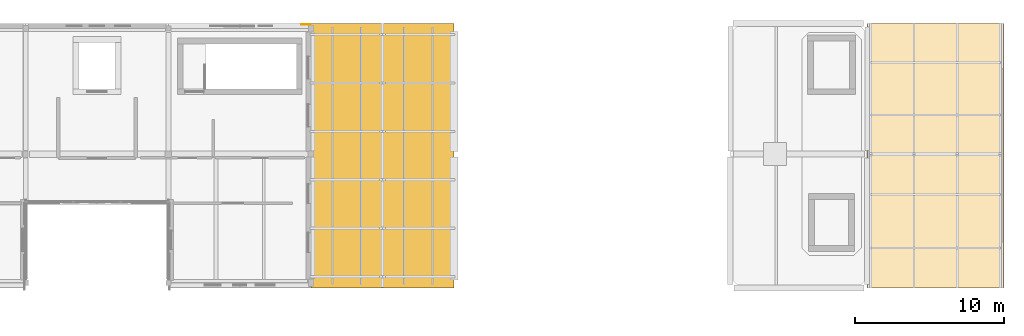
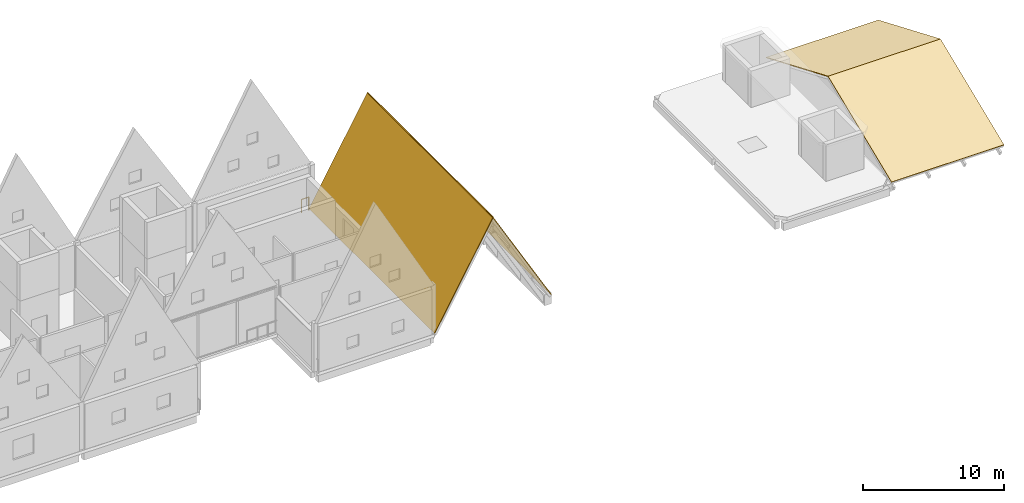
# One storey, part 13 of 13: 4 coverings, 1 railing.
"""IFC4 building model written with IfcOpenShell, lengths in metres."""

import ifcopenshell
import ifcopenshell.guid

model = None  # the IFC model being written
_history = None  # IfcOwnerHistory: only IFC2X3 demands one
_inside = {}  # id of a spatial element -> (the spatial element, [elements in it])
_under = {}  # id of a project, library or spatial element -> (it, [spatial elements below it])
_declared = {}  # id of a project -> (the project, [libraries it declares])
_typed = {}  # id of a type object -> (the type object, [elements of that type])
_made_of = {}  # id of a material, layer set ... -> (it, [elements and type objects made of it])


def new_model(schema):
    """Start an empty IFC model of exactly this schema.

    Asked for "IFC4X3", IfcOpenShell would pick the latest addendum, in which some entities
    have other attributes; the version numbers below select the first issue.
    IFC2X3 requires an IfcOwnerHistory on every rooted entity: one is made here for all.
    """
    global model, _history
    if schema == "IFC4X3":
        model = ifcopenshell.file(schema_version=(4, 3, 0, 0))
    else:
        model = ifcopenshell.file(schema=schema)
    _inside.clear()
    _under.clear()
    _declared.clear()
    _typed.clear()
    _made_of.clear()
    _history = None
    if model.schema == "IFC2X3":
        org = make("IfcOrganization", Name="unknown")
        user = make(
            "IfcPersonAndOrganization",
            ThePerson=make("IfcPerson", FamilyName="unknown"),
            TheOrganization=org,
        )
        app = make(
            "IfcApplication",
            ApplicationDeveloper=org,
            Version="unknown",
            ApplicationFullName="unknown",
            ApplicationIdentifier="unknown",
        )
        _history = make(
            "IfcOwnerHistory",
            OwningUser=user,
            OwningApplication=app,
            ChangeAction="ADDED",
            CreationDate=0,
        )
    return model


def make(cls, **values):
    """One entity of the class cls with the attributes given. An attribute that is None is left unset."""
    return model.create_entity(
        cls, **{name: value for name, value in values.items() if value is not None}
    )


def rooted(cls, **values):
    """An entity with a GlobalId (a new one), such as an element, a storey or a relation."""
    return make(cls, GlobalId=ifcopenshell.guid.new(), OwnerHistory=_history, **values)


def si_unit(unit_type, name, prefix=None):
    """IfcSIUnit, for example si_unit("LENGTHUNIT", "METRE", prefix="MILLI")."""
    return make("IfcSIUnit", UnitType=unit_type, Prefix=prefix, Name=name)


def assignment(units):
    """IfcUnitAssignment: the units of a project."""
    return None if units is None else make("IfcUnitAssignment", Units=units)


def point(xyz):
    """IfcCartesianPoint."""
    return None if xyz is None else make("IfcCartesianPoint", Coordinates=xyz)


def direction(xyz):
    """IfcDirection."""
    return None if xyz is None else make("IfcDirection", DirectionRatios=xyz)


def frame(location, z_axis=None, x_axis=None):
    """IfcAxis2Placement3D, a coordinate frame: its origin and axes. An axis left out is left unset."""
    return make(
        "IfcAxis2Placement3D",
        Location=point(location),
        Axis=direction(z_axis),
        RefDirection=direction(x_axis),
    )


def frame_2d(location, x_axis=None):
    """IfcAxis2Placement2D, a coordinate frame in the plane: its origin and x axis."""
    return make(
        "IfcAxis2Placement2D", Location=point(location), RefDirection=direction(x_axis)
    )


def origin():
    """The frame at (0, 0, 0) with its axes left unset."""
    return frame((0.0, 0.0, 0.0))


def origin_2d():
    """The frame at (0, 0) in the plane with its x axis left unset."""
    return frame_2d((0.0, 0.0))


def place(relative_to, where):
    """IfcLocalPlacement: puts the frame where relative to a parent placement (None: the world)."""
    return make(
        "IfcLocalPlacement", PlacementRelTo=relative_to, RelativePlacement=where
    )


def context(
    kind, dimensions, precision=None, world=None, true_north=None, identifier=None
):
    """IfcGeometricRepresentationContext, for example the 3D "Model" context."""
    return make(
        "IfcGeometricRepresentationContext",
        ContextIdentifier=identifier,
        ContextType=kind,
        CoordinateSpaceDimension=dimensions,
        Precision=precision,
        WorldCoordinateSystem=world,
        TrueNorth=true_north,
    )


def subcontext(parent, identifier, kind, view, scale=None):
    """IfcGeometricRepresentationSubContext, for example "Body" below "Model"."""
    return make(
        "IfcGeometricRepresentationSubContext",
        ContextIdentifier=identifier,
        ContextType=kind,
        ParentContext=parent,
        TargetScale=scale,
        TargetView=view,
    )


def project(units=None, contexts=None):
    """IfcProject with its units and contexts."""
    return rooted(
        "IfcProject",
        Name="project",
        RepresentationContexts=contexts,
        UnitsInContext=assignment(units),
    )


def spatial(cls, under=None, at=None, **own):
    """A site, building, storey or space (cls), placed at a placement, below another one or the project."""
    s = rooted(cls, ObjectPlacement=at, **own)
    if under is not None:
        _under.setdefault(under.id(), (under, []))[1].append(s)
    return s


def polyline(points):
    """IfcPolyline through the points."""
    return make("IfcPolyline", Points=[point(p) for p in points])


def profile(cls, at=None, kind="AREA", **sizes):
    """A parametric profile (cls). Its sizes go by their IFC names, for example OverallWidth=200.0."""
    return make(cls, ProfileType=kind, Position=at, **sizes)


def circle(**sizes):
    """IfcCircleProfileDef."""
    return profile("IfcCircleProfileDef", **sizes)


def outline(outer, holes=None, kind="AREA"):
    """IfcArbitraryClosedProfileDef: a profile drawn as a closed curve; with holes, ...WithVoids."""
    if holes is None:
        return make("IfcArbitraryClosedProfileDef", ProfileType=kind, OuterCurve=outer)
    return make(
        "IfcArbitraryProfileDefWithVoids",
        ProfileType=kind,
        OuterCurve=outer,
        InnerCurves=holes,
    )


def extrude(swept, where, along, depth):
    """IfcExtrudedAreaSolid: the profile swept, set in the frame where, extruded along a direction by depth."""
    return make(
        "IfcExtrudedAreaSolid",
        SweptArea=swept,
        Position=where,
        ExtrudedDirection=direction(along),
        Depth=depth,
    )


def shape(context_of_items, identifier, shape_type, items):
    """IfcShapeRepresentation: the items that make up one representation, for example the "Body"."""
    return make(
        "IfcShapeRepresentation",
        ContextOfItems=context_of_items,
        RepresentationIdentifier=identifier,
        RepresentationType=shape_type,
        Items=items,
    )


def material(Name=None, Category=None):
    """IfcMaterial."""
    return make("IfcMaterial", Name=Name, Category=Category)


def layer(
    of_material, thickness, ventilated=None, Name=None, Category=None, Priority=None
):
    """IfcMaterialLayer: one layer of a wall or slab, of a material (None: an air gap)."""
    return make(
        "IfcMaterialLayer",
        Material=of_material,
        LayerThickness=thickness,
        IsVentilated=ventilated,
        Name=Name,
        Category=Category,
        Priority=Priority,
    )


def layer_set(layers, Name=None):
    """IfcMaterialLayerSet."""
    return make("IfcMaterialLayerSet", MaterialLayers=layers, LayerSetName=Name)


def made_of(thing, what):
    """Note that an element or type object is made of a material, layer set ...; save() writes the relation."""
    if what is not None:
        _made_of.setdefault(what.id(), (what, []))[1].append(thing)
    return thing


def type_object(cls, material=None, **own):
    """A type object (cls), such as IfcWallType, which elements share."""
    return made_of(rooted(cls, **own), material)


def element(
    cls,
    number,
    at=None,
    inside=None,
    cuts=None,
    type_object=None,
    material=None,
    context=None,
    identifier="Body",
    shape_type=None,
    held_by="IfcProductDefinitionShape",
    body=None,
    shapes=None,
    **own,
):
    """One element of the class cls, such as IfcWall. Its Tag is "e" and its number.

    at: its placement. inside: the storey or other place that contains it. cuts: it is an
    opening in that element (IfcRelVoidsElement). A single representation is given by context,
    identifier, shape_type and body (its items); several are given by shapes. held_by: the class
    of the entity that holds the representations. save() writes the other relations.
    """
    e = rooted(cls, Tag="e%d" % number, ObjectPlacement=at, **own)
    if body is not None:
        shapes = [shape(context, identifier, shape_type, body)]
    if shapes is not None:
        e.Representation = make(held_by, Representations=shapes)
    if inside is not None:
        _inside.setdefault(inside.id(), (inside, []))[1].append(e)
    if cuts is not None:
        rooted(
            "IfcRelVoidsElement", RelatingBuildingElement=cuts, RelatedOpeningElement=e
        )
    if type_object is not None:
        _typed.setdefault(type_object.id(), (type_object, []))[1].append(e)
    return made_of(e, material)


def aggregate(whole, parts):
    """IfcRelAggregates: a whole, such as a stair, and the parts it consists of."""
    return rooted("IfcRelAggregates", RelatingObject=whole, RelatedObjects=parts)


def save(model, path):
    """Write the relations noted so far, then the file.

    IfcRelAggregates (storeys below a building ...), IfcRelContainedInSpatialStructure (elements
    in a storey), IfcRelDefinesByType, IfcRelAssociatesMaterial and IfcRelDeclares: one each for
    every whole, place, type object, material and project.
    """
    for whole, parts in _under.values():
        aggregate(whole, parts)
    for where, things in _inside.values():
        rooted(
            "IfcRelContainedInSpatialStructure",
            RelatedElements=things,
            RelatingStructure=where,
        )
    for kind, things in _typed.values():
        rooted("IfcRelDefinesByType", RelatedObjects=things, RelatingType=kind)
    for what, things in _made_of.values():
        rooted("IfcRelAssociatesMaterial", RelatedObjects=things, RelatingMaterial=what)
    for by, libraries in _declared.values():
        rooted("IfcRelDeclares", RelatingContext=by, RelatedDefinitions=libraries)
    model.write(path)


model = new_model("IFC4")

# Units and contexts
model_context = context("Model", 3, precision=1e-05, world=origin(), true_north=direction((0.0, 1.0)))
body_context = subcontext(model_context, "Body", "Model", "MODEL_VIEW")
ifc_project = project(units=[si_unit("LENGTHUNIT", "METRE"), si_unit("AREAUNIT", "SQUARE_METRE"), si_unit("VOLUMEUNIT", "CUBIC_METRE"), si_unit("PLANEANGLEUNIT", "RADIAN"), si_unit("MASSUNIT", "GRAM", prefix="KILO")], contexts=[model_context])

# Site, building, storey
site_placement = place(None, origin())
site = spatial("IfcSite", under=ifc_project, at=site_placement, CompositionType="ELEMENT")
building_placement = place(site_placement, origin())
building = spatial("IfcBuilding", under=site, at=building_placement, Name="Birchvale Park Specialist Clinic", CompositionType="ELEMENT")
storey_placement = place(building_placement, frame((0.0, 0.0, 22.199951171875)))
storey = spatial("IfcBuildingStorey", under=building, at=storey_placement, Name="L05", CompositionType="ELEMENT", Elevation=22.199951171875)

# Coverings
ifc_material_1 = material(Name="Standing-seam titanium-zinc roofing")
ifc_layer = layer(ifc_material_1, 0.06005859375)
ifc_layer_set = layer_set([ifc_layer], Name="Standing-seam titanium-zinc roofing")
covering_type = type_object("IfcCoveringType", Name="COV-RF1", PredefinedType="ROOFING", material=ifc_layer_set)
covering_1_placement = place(storey_placement, frame((99.800048828125, 16.800048828125, 0.06005859375), z_axis=(-0.8682384833, 0.0, 0.49614709121), x_axis=(0.49614709121, 0.0, 0.8682384833)))
element("IfcCovering", 1, at=covering_1_placement, inside=storey, type_object=covering_type, Name="L05 standing-seam zinc roof V4-B6 W", PredefinedType="ROOFING", context=body_context, shape_type="SweptSolid", body=[
    extrude(outline(polyline([(0.0, 0.0), (9.674648734549535, 0.0), (9.674648734549535, 17.800048828125), (0.0, 17.800048828125), (0.0, 0.0)])), origin(), (0.0, 0.0, -1.0), 0.06005859375),
])
covering_2_placement = place(storey_placement, frame((104.60009765625, 16.800048828125, 8.4599609375), z_axis=(0.868249353848, 0.0, 0.496128067682), x_axis=(0.496128067682, 0.0, -0.868249353848)))
element("IfcCovering", 2, at=covering_2_placement, inside=storey, type_object=covering_type, Name="L05 standing-seam zinc roof V4-B6 E", PredefinedType="ROOFING", context=body_context, shape_type="SweptSolid", body=[
    extrude(outline(polyline([(0.0, 0.0), (9.674527607210788, 0.0), (9.674527607210788, 17.800048828125), (0.0, 17.800048828125), (0.0, 0.0)])), origin(), (0.0, 0.0, -1.0), 0.06005859375),
])
covering_3_placement = place(storey_placement, frame((137.199951171875, 16.800048828125, 0.06005859375), z_axis=(0.0, -0.380228584756, 0.924892546912), x_axis=(1.0, 0.0, 0.0)))
element("IfcCovering", 3, at=covering_3_placement, inside=storey, type_object=covering_type, Name="L05 standing-seam zinc roof V5-L05-G1 S", PredefinedType="ROOFING", context=body_context, shape_type="SweptSolid", body=[
    extrude(outline(polyline([(0.0, 0.0), (9.199951171875, 0.0), (9.199951171875, 9.730860119961607), (0.0, 9.730860119961607), (0.0, 0.0)])), origin(), (0.0, 0.0, -1.0), 0.06005859375),
])
covering_4_placement = place(storey_placement, frame((137.199951171875, 25.800048828125, 3.760009765625), z_axis=(0.0, 0.387582465314, 0.921835035449), x_axis=(1.0, 0.0, 0.0)))
element("IfcCovering", 4, at=covering_4_placement, inside=storey, type_object=covering_type, Name="L05 standing-seam zinc roof V5-L05-G1 N", PredefinedType="ROOFING", context=body_context, shape_type="SweptSolid", body=[
    extrude(outline(polyline([(0.0, 0.0), (9.199951171875, 0.0), (9.199951171875, 9.546229520163623), (0.0, 9.546229520163623), (0.0, 0.0)])), origin(), (0.0, 0.0, -1.0), 0.06005859375),
])

# Railing
ifc_material_2 = material(Name="Brushed stainless steel and laminated glass balustrade", Category="steel")
railing_type = type_object("IfcRailingType", Name="RL-BAL2", PredefinedType="BALUSTRADE", material=ifc_material_2)
railing_placement = place(storey_placement, frame((99.14990234375, 34.52001953125, 0.0)))
element("IfcRailing", 5, at=railing_placement, inside=storey, type_object=railing_type, Name="V4 L05 corner edge guard NE", PredefinedType="BALUSTRADE", context=body_context, shape_type="SweptSolid", body=[
    extrude(circle(Radius=0.02392578125, at=origin_2d()), frame((0.0, 0.0, 1.1259765625), z_axis=(1.0, 0.0, 0.0), x_axis=(0.0, 1.0, 0.0)), (0.0, 0.0, 1.0), 0.60009765625),
    extrude(circle(Radius=0.02099609375, at=origin_2d()), origin(), (0.0, 0.0, 1.0), 1.101806640625),
    extrude(circle(Radius=0.02099609375, at=origin_2d()), frame((0.60009765625, 0.0, 0.0)), (0.0, 0.0, 1.0), 1.101806640625),
])

save(model, "model.ifc")
